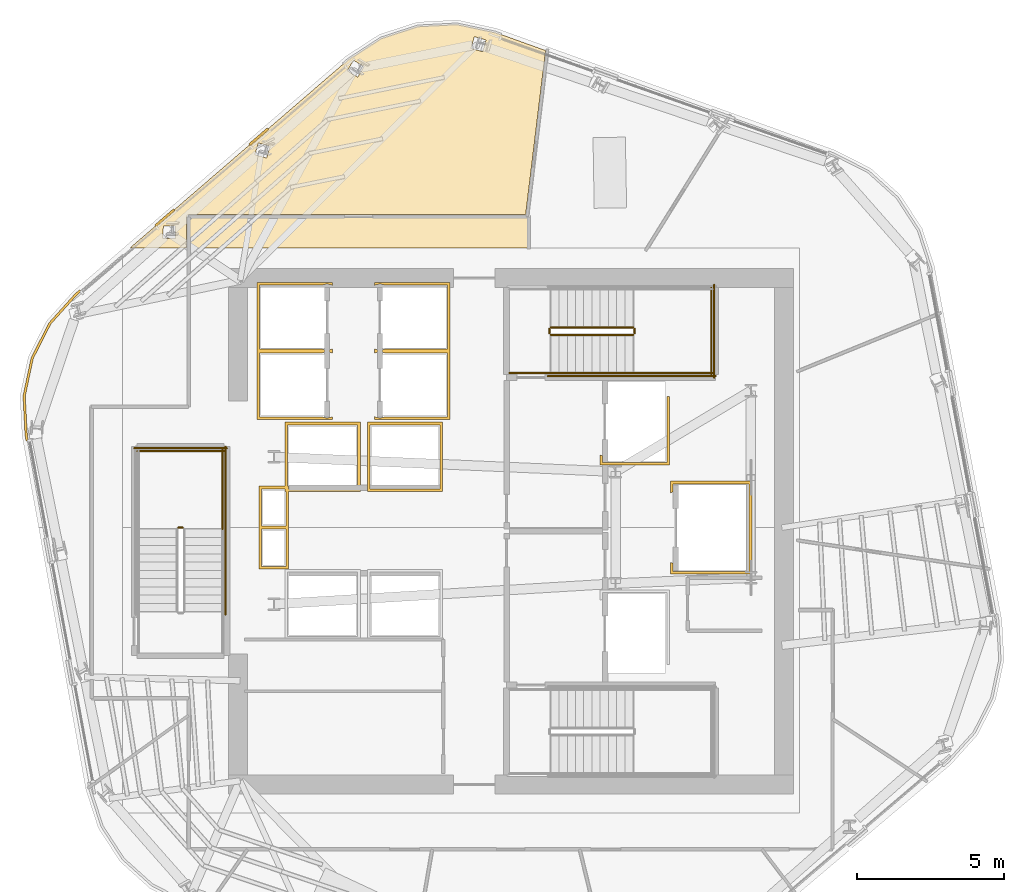
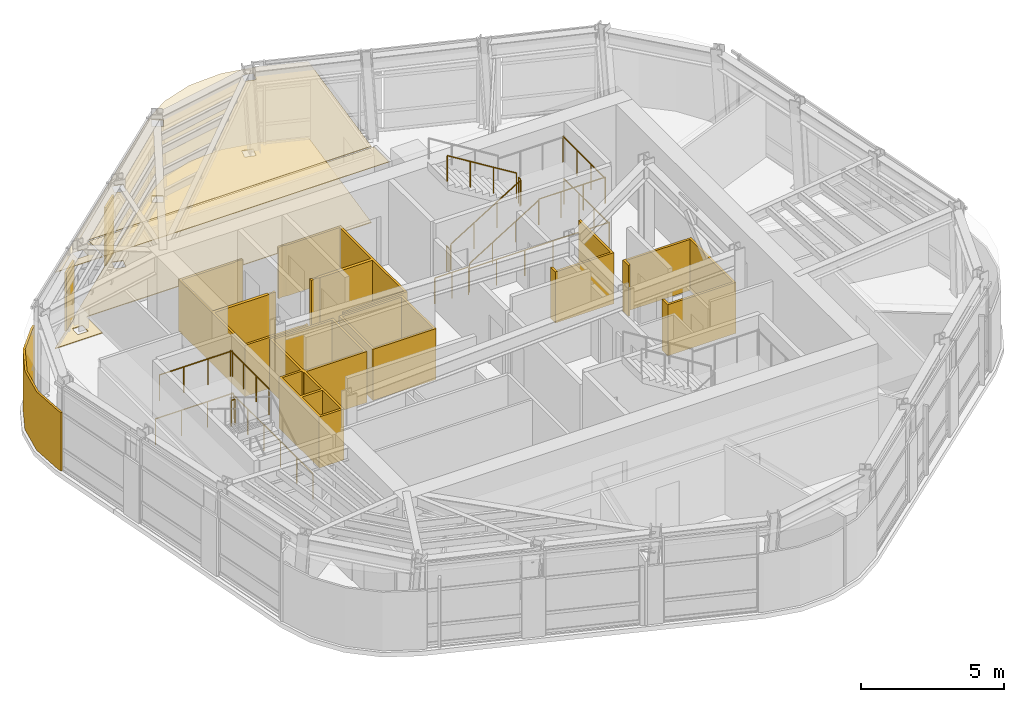
# One storey, part 12 of 14: 15 railings, 12 coverings.
"""IFC4 building model written with IfcOpenShell, lengths in metres."""

from ifc_helpers import new_model, si_unit, direction, frame, origin, origin_2d, place, context, subcontext, project, spatial, polyline, circle, outline, extrude, material, layer, layer_set, type_object, element, save


model = new_model("IFC4")

# Units and contexts
model_context = context("Model", 3, precision=1e-05, world=origin(), true_north=direction((0.0, 1.0)))
body_context = subcontext(model_context, "Body", "Model", "MODEL_VIEW")
ifc_project = project(units=[si_unit("LENGTHUNIT", "METRE"), si_unit("AREAUNIT", "SQUARE_METRE"), si_unit("VOLUMEUNIT", "CUBIC_METRE"), si_unit("PLANEANGLEUNIT", "RADIAN"), si_unit("MASSUNIT", "GRAM", prefix="KILO")], contexts=[model_context])

# Site, building, storey
site_placement = place(None, origin())
site = spatial("IfcSite", under=ifc_project, at=site_placement, CompositionType="ELEMENT")
building_placement = place(site_placement, origin())
building = spatial("IfcBuilding", under=site, at=building_placement, Name="Valkerne Bourse Tower", CompositionType="ELEMENT")
storey_placement = place(building_placement, frame((0.0, 0.0, 198.0)))
storey = spatial("IfcBuildingStorey", under=building, at=storey_placement, Name="L50", CompositionType="ELEMENT", Elevation=198.0)

# Coverings
ifc_material_1 = material(Name="Mineral Fiber Acoustic Ceiling Tile", Category="acoustic")
ifc_layer_1 = layer(ifc_material_1, 0.02490234375)
ifc_layer_set_1 = layer_set([ifc_layer_1], Name="Mineral Fiber Acoustic Ceiling Tile")
covering_type_1 = type_object("IfcCoveringType", Name="COV-CEIL-ACT", PredefinedType="CEILING", material=ifc_layer_set_1)
covering_1_placement = place(storey_placement, frame((0.0, 0.0, 3.25)))
element("IfcCovering", 1, at=covering_1_placement, inside=storey, type_object=covering_type_1, Name="L50 Suspended Ceiling 13", PredefinedType="CEILING", context=body_context, shape_type="SweptSolid", body=[
    extrude(outline(polyline([(41.274169921875, 42.89892578125), (42.388671875, 43.62255859375), (43.643798828125, 44.0302734375), (44.96142578125, 44.099365234375), (46.260986328125, 43.822998046875), (47.97314453125, 43.207275390625), (47.29638671875, 37.62890625), (35.849609375, 37.62890625), (35.81494140625, 37.61962890625), (35.791015625, 37.595947265625), (35.781005859375, 37.560546875), (35.781005859375, 36.5), (33.85693359375, 36.5), (41.274169921875, 42.89892578125)]), holes=[polyline([(35.39990234375, 37.238525390625), (34.988525390625, 37.24365234375), (34.987060546875, 37.241943359375), (34.982666015625, 36.828125), (35.394287109375, 36.822998046875), (35.395751953125, 36.82470703125), (35.39990234375, 37.238525390625)]), polyline([(38.49658203125, 39.555419921875), (38.61328125, 39.95263671875), (38.21875, 40.069580078125), (38.217041015625, 40.068359375), (38.10009765625, 39.671142578125), (38.494873046875, 39.55419921875), (38.49658203125, 39.555419921875)]), polyline([(41.5927734375, 42.306884765625), (41.806396484375, 42.661376953125), (41.454345703125, 42.87451171875), (41.451904296875, 42.873779296875), (41.238525390625, 42.519287109375), (41.590576171875, 42.30615234375), (41.5927734375, 42.306884765625)]), polyline([(45.952392578125, 43.563232421875), (45.5546875, 43.677490234375), (45.552490234375, 43.67724609375), (45.439453125, 43.28125), (45.8369140625, 43.167236328125), (45.83935546875, 43.16748046875), (45.952392578125, 43.563232421875)])]), origin(), (0.0, 0.0, 1.0), 0.02490234375),
])
ifc_material_2 = material(Name="Bronze Anodised Aluminium AA 6063-T6", Category="aluminium")
ifc_layer_2 = layer(ifc_material_2, 0.030029296875)
ifc_layer_set_2 = layer_set([ifc_layer_2], Name="Bronze Anodised Aluminium AA 6063-T6")
covering_type_2 = type_object("IfcCoveringType", Name="COV-CEIL-METAL", PredefinedType="CEILING", material=ifc_layer_set_2)
covering_2_placement = place(storey_placement, frame((0.0, 0.0, 3.25)))
element("IfcCovering", 2, at=covering_2_placement, inside=storey, type_object=covering_type_2, Name="L50 Suspended Ceiling 03", PredefinedType="CEILING", context=body_context, shape_type="SweptSolid", body=[
    extrude(outline(polyline([(35.85400390625, 37.555908203125), (47.39599609375, 37.555908203125), (47.39599609375, 36.5), (35.85400390625, 36.5), (35.85400390625, 37.555908203125)])), origin(), (0.0, 0.0, 1.0), 0.02490234375),
])
ifc_layer_3 = layer(ifc_material_2, 0.06005859375)
ifc_layer_set_3 = layer_set([ifc_layer_3], Name="Bronze Anodised Aluminium AA 6063-T6")
covering_type_3 = type_object("IfcCoveringType", Name="COV-CRN-ALUM", PredefinedType="CLADDING", material=ifc_layer_set_3)
covering_3_placement = place(storey_placement, origin())
element("IfcCovering", 3, at=covering_3_placement, inside=storey, type_object=covering_type_3, Name="L50 Wind-Shaped Corner Aluminium Cladding 10", PredefinedType="CLADDING", context=body_context, shape_type="SweptSolid", body=[
    extrude(outline(polyline([(30.29052734375, 30.134765625), (30.220703125, 31.470947265625), (30.497314453125, 32.773193359375), (31.1015625, 33.959228515625), (31.996826171875, 34.95361328125), (32.14306640625, 35.07958984375), (32.195068359375, 35.018798828125), (32.052978515625, 34.896240234375), (31.168212890625, 33.91357421875), (30.5732421875, 32.74609375), (30.301025390625, 31.464599609375), (30.3701171875, 30.14404296875), (30.4033203125, 29.959716796875), (30.32470703125, 29.945068359375), (30.29052734375, 30.134765625)])), origin(), (0.0, 0.0, 1.0), 2.5),
])
covering_4_placement = place(storey_placement, origin())
element("IfcCovering", 4, at=covering_4_placement, inside=storey, type_object=covering_type_3, Name="L50 Wind-Shaped Corner Aluminium Cladding 11", PredefinedType="CLADDING", context=body_context, shape_type="SweptSolid", body=[
    extrude(outline(polyline([(35.332275390625, 37.830810546875), (35.38427734375, 37.77001953125), (34.748291015625, 37.221435546875), (34.6962890625, 37.2822265625), (35.332275390625, 37.830810546875)])), origin(), (0.0, 0.0, 1.0), 2.5),
])
covering_5_placement = place(storey_placement, origin())
element("IfcCovering", 5, at=covering_5_placement, inside=storey, type_object=covering_type_3, Name="L50 Wind-Shaped Corner Aluminium Cladding 12", PredefinedType="CLADDING", context=body_context, shape_type="SweptSolid", body=[
    extrude(outline(polyline([(38.521484375, 40.582275390625), (38.573486328125, 40.521484375), (37.9375, 39.97265625), (37.885498046875, 40.03369140625), (38.521484375, 40.582275390625)])), origin(), (0.0, 0.0, 1.0), 2.5),
])
ifc_material_3 = material(Name="Polished Granite Stone", Category="masonry")
ifc_layer_4 = layer(ifc_material_3, 0.030029296875)
ifc_layer_set_4 = layer_set([ifc_layer_4], Name="Polished Granite Stone")
covering_type_4 = type_object("IfcCoveringType", Name="COV-FLR-TERRAZZO", PredefinedType="FLOORING", material=ifc_layer_set_4)
covering_6_placement = place(storey_placement, origin())
element("IfcCovering", 6, at=covering_6_placement, inside=storey, type_object=covering_type_4, Name="L50 Floor Finish 13", PredefinedType="FLOORING", context=body_context, shape_type="SweptSolid", body=[
    extrude(outline(polyline([(41.274169921875, 42.89892578125), (42.388671875, 43.62255859375), (43.643798828125, 44.0302734375), (44.96142578125, 44.099365234375), (46.260986328125, 43.822998046875), (47.97314453125, 43.207275390625), (47.29638671875, 37.62890625), (35.849609375, 37.62890625), (35.81494140625, 37.61962890625), (35.791015625, 37.595947265625), (35.781005859375, 37.560546875), (35.781005859375, 36.5), (33.85693359375, 36.5), (41.274169921875, 42.89892578125)]), holes=[polyline([(35.39990234375, 37.238525390625), (34.988525390625, 37.24365234375), (34.987060546875, 37.241943359375), (34.982666015625, 36.828125), (35.394287109375, 36.822998046875), (35.395751953125, 36.82470703125), (35.39990234375, 37.238525390625)]), polyline([(38.49658203125, 39.555419921875), (38.61328125, 39.95263671875), (38.21875, 40.069580078125), (38.217041015625, 40.068359375), (38.10009765625, 39.671142578125), (38.494873046875, 39.55419921875), (38.49658203125, 39.555419921875)]), polyline([(41.5927734375, 42.306884765625), (41.806396484375, 42.661376953125), (41.454345703125, 42.87451171875), (41.451904296875, 42.873779296875), (41.238525390625, 42.519287109375), (41.590576171875, 42.30615234375), (41.5927734375, 42.306884765625)]), polyline([(45.952392578125, 43.563232421875), (45.5546875, 43.677490234375), (45.552490234375, 43.67724609375), (45.439453125, 43.28125), (45.8369140625, 43.167236328125), (45.83935546875, 43.16748046875), (45.952392578125, 43.563232421875)])]), origin(), (0.0, 0.0, 1.0), 0.030029296875),
])
ifc_material_4 = material(Name="Gypsum Shaftwall Liner Board", Category="gypsum")
ifc_layer_5 = layer(ifc_material_4, 0.080078125)
ifc_layer_set_5 = layer_set([ifc_layer_5], Name="Gypsum Shaftwall Liner Board")
covering_type_5 = type_object("IfcCoveringType", Name="COV-SHF-CLAD", PredefinedType="CLADDING", material=ifc_layer_set_5)
covering_7_placement = place(storey_placement, origin())
element("IfcCovering", 7, at=covering_7_placement, inside=storey, type_object=covering_type_5, Name="L50 Hoistway & Riser Shaftwall Liner 03", PredefinedType="CLADDING", context=body_context, shape_type="SweptSolid", body=[
    extrude(outline(polyline([(38.239990234375, 28.409912109375), (39.1201171875, 28.409912109375), (39.1201171875, 30.580078125), (41.679931640625, 30.580078125), (41.679931640625, 28.219970703125), (39.239990234375, 28.219970703125), (39.239990234375, 27.0400390625), (39.239990234375, 26.9599609375), (39.239990234375, 25.590087890625), (38.239990234375, 25.590087890625), (38.239990234375, 26.9599609375), (38.239990234375, 27.0400390625), (38.239990234375, 28.409912109375)]), holes=[polyline([(38.330078125, 26.949951171875), (38.330078125, 25.679931640625), (39.14990234375, 25.679931640625), (39.14990234375, 26.949951171875), (38.330078125, 26.949951171875)]), polyline([(39.2099609375, 30.489990234375), (39.2099609375, 28.409912109375), (39.239990234375, 28.409912109375), (39.239990234375, 28.31005859375), (41.590087890625, 28.31005859375), (41.590087890625, 30.489990234375), (39.2099609375, 30.489990234375)]), polyline([(38.330078125, 27.050048828125), (39.14990234375, 27.050048828125), (39.14990234375, 28.219970703125), (39.1201171875, 28.219970703125), (39.1201171875, 28.320068359375), (38.330078125, 28.320068359375), (38.330078125, 27.050048828125)])]), origin(), (0.0, 0.0, 1.0), 2.179931640625),
])
covering_8_placement = place(storey_placement, origin())
element("IfcCovering", 8, at=covering_8_placement, inside=storey, type_object=covering_type_5, Name="L50 Hoistway & Riser Shaftwall Liner 04", PredefinedType="CLADDING", context=body_context, shape_type="SweptSolid", body=[
    extrude(outline(polyline([(38.169921875, 35.330078125), (40.72998046875, 35.330078125), (40.72998046875, 35.232177734375), (40.72216796875, 35.235595703125), (40.6806640625, 35.25048828125), (40.6376953125, 35.261474609375), (40.593994140625, 35.267822265625), (40.550048828125, 35.27001953125), (40.505859375, 35.267822265625), (40.462158203125, 35.261474609375), (40.41943359375, 35.25048828125), (40.3896484375, 35.239990234375), (38.260009765625, 35.239990234375), (38.260009765625, 33.06005859375), (40.3896484375, 33.06005859375), (40.41943359375, 33.04931640625), (40.462158203125, 33.03857421875), (40.505859375, 33.0322265625), (40.550048828125, 33.030029296875), (40.593994140625, 33.0322265625), (40.6376953125, 33.03857421875), (40.6806640625, 33.04931640625), (40.72216796875, 33.064208984375), (40.72998046875, 33.06787109375), (40.72998046875, 33.030029296875), (40.72998046875, 32.969970703125), (40.72998046875, 32.93212890625), (40.72216796875, 32.935791015625), (40.6806640625, 32.95068359375), (40.6376953125, 32.96142578125), (40.593994140625, 32.9677734375), (40.550048828125, 32.969970703125), (40.505859375, 32.9677734375), (40.462158203125, 32.96142578125), (40.41943359375, 32.95068359375), (40.3896484375, 32.93994140625), (38.260009765625, 32.93994140625), (38.260009765625, 30.760009765625), (40.3896484375, 30.760009765625), (40.41943359375, 30.74951171875), (40.462158203125, 30.738525390625), (40.505859375, 30.732177734375), (40.550048828125, 30.72998046875), (40.593994140625, 30.732177734375), (40.6376953125, 30.738525390625), (40.6806640625, 30.74951171875), (40.72216796875, 30.764404296875), (40.72998046875, 30.767822265625), (40.72998046875, 30.669921875), (38.169921875, 30.669921875), (38.169921875, 32.969970703125), (38.169921875, 33.030029296875), (38.169921875, 35.330078125)])), origin(), (0.0, 0.0, 1.0), 2.179931640625),
])
covering_9_placement = place(storey_placement, origin())
element("IfcCovering", 9, at=covering_9_placement, inside=storey, type_object=covering_type_5, Name="L50 Hoistway & Riser Shaftwall Liner 06", PredefinedType="CLADDING", context=body_context, shape_type="SweptSolid", body=[
    extrude(outline(polyline([(54.97998046875, 25.419921875), (52.219970703125, 25.419921875), (52.219970703125, 25.81787109375), (52.227783203125, 25.814208984375), (52.269287109375, 25.79931640625), (52.31005859375, 25.789306640625), (52.31005859375, 25.510009765625), (54.889892578125, 25.510009765625), (54.889892578125, 28.489990234375), (52.31005859375, 28.489990234375), (52.31005859375, 28.210693359375), (52.269287109375, 28.20068359375), (52.227783203125, 28.185791015625), (52.219970703125, 28.18212890625), (52.219970703125, 28.580078125), (54.97998046875, 28.580078125), (54.97998046875, 25.419921875)])), origin(), (0.0, 0.0, 1.0), 2.179931640625),
])
covering_10_placement = place(storey_placement, origin())
element("IfcCovering", 10, at=covering_10_placement, inside=storey, type_object=covering_type_5, Name="L50 Hoistway & Riser Shaftwall Liner 07", PredefinedType="CLADDING", context=body_context, shape_type="SweptSolid", body=[
    extrude(outline(polyline([(44.47998046875, 28.219970703125), (41.919921875, 28.219970703125), (41.919921875, 30.580078125), (44.47998046875, 30.580078125), (44.47998046875, 28.219970703125)]), holes=[polyline([(42.010009765625, 30.489990234375), (42.010009765625, 28.31005859375), (44.389892578125, 28.31005859375), (44.389892578125, 30.489990234375), (42.010009765625, 30.489990234375)])]), origin(), (0.0, 0.0, 1.0), 2.179931640625),
])
covering_11_placement = place(storey_placement, origin())
element("IfcCovering", 11, at=covering_11_placement, inside=storey, type_object=covering_type_5, Name="L50 Hoistway & Riser Shaftwall Liner 08", PredefinedType="CLADDING", context=body_context, shape_type="SweptSolid", body=[
    extrude(outline(polyline([(49.820068359375, 29.1201171875), (49.820068359375, 29.468017578125), (49.827880859375, 29.46435546875), (49.869384765625, 29.449462890625), (49.909912109375, 29.439208984375), (49.909912109375, 29.2099609375), (52.090087890625, 29.2099609375), (52.090087890625, 31.449951171875), (52.179931640625, 31.449951171875), (52.179931640625, 29.1201171875), (49.820068359375, 29.1201171875)])), origin(), (0.0, 0.0, 1.0), 2.179931640625),
])
covering_12_placement = place(storey_placement, origin())
element("IfcCovering", 12, at=covering_12_placement, inside=storey, type_object=covering_type_5, Name="L50 Hoistway & Riser Shaftwall Liner 09", PredefinedType="CLADDING", context=body_context, shape_type="SweptSolid", body=[
    extrude(outline(polyline([(42.169921875, 33.06787109375), (42.177734375, 33.064208984375), (42.219482421875, 33.04931640625), (42.26220703125, 33.03857421875), (42.305908203125, 33.0322265625), (42.35009765625, 33.030029296875), (42.39404296875, 33.0322265625), (42.437744140625, 33.03857421875), (42.480712890625, 33.04931640625), (42.51025390625, 33.06005859375), (44.639892578125, 33.06005859375), (44.639892578125, 35.239990234375), (42.51025390625, 35.239990234375), (42.480712890625, 35.25048828125), (42.437744140625, 35.261474609375), (42.39404296875, 35.267822265625), (42.35009765625, 35.27001953125), (42.305908203125, 35.267822265625), (42.26220703125, 35.261474609375), (42.219482421875, 35.25048828125), (42.177734375, 35.235595703125), (42.169921875, 35.232177734375), (42.169921875, 35.330078125), (44.72998046875, 35.330078125), (44.72998046875, 33.030029296875), (44.72998046875, 32.969970703125), (44.72998046875, 30.669921875), (42.169921875, 30.669921875), (42.169921875, 30.767822265625), (42.177734375, 30.764404296875), (42.219482421875, 30.74951171875), (42.26220703125, 30.738525390625), (42.305908203125, 30.732177734375), (42.35009765625, 30.72998046875), (42.39404296875, 30.732177734375), (42.437744140625, 30.738525390625), (42.480712890625, 30.74951171875), (42.51025390625, 30.760009765625), (44.639892578125, 30.760009765625), (44.639892578125, 32.93994140625), (42.51025390625, 32.93994140625), (42.480712890625, 32.95068359375), (42.437744140625, 32.96142578125), (42.39404296875, 32.9677734375), (42.35009765625, 32.969970703125), (42.305908203125, 32.9677734375), (42.26220703125, 32.96142578125), (42.219482421875, 32.95068359375), (42.177734375, 32.935791015625), (42.169921875, 32.93212890625), (42.169921875, 32.969970703125), (42.169921875, 33.030029296875), (42.169921875, 33.06787109375)])), origin(), (0.0, 0.0, 1.0), 2.179931640625),
])

# Railings
ifc_material_5 = material(Name="Galvanised Painted Steel", Category="steel")
railing_type_1 = type_object("IfcRailingType", Name="RLG-ST-GUARD-1120", PredefinedType="GUARDRAIL", material=ifc_material_5)
railing_1_placement = place(storey_placement, frame((48.14990234375, 33.550048828125, 0.172607421875)))
element("IfcRailing", 13, at=railing_1_placement, inside=storey, type_object=railing_type_1, Name="L50 ST-2 stair guard 1", PredefinedType="GUARDRAIL", context=body_context, shape_type="SweptSolid", body=[
    extrude(circle(Radius=0.02392578125, at=origin_2d()), frame((0.0, 0.0, 1.09619140625), z_axis=(0.851089632645, 0.0, 0.525020415988), x_axis=(0.0, 1.0, 0.0)), (0.0, 0.0, 1.0), 3.2900390625),
    extrude(circle(Radius=0.02099609375, at=origin_2d()), origin(), (0.0, 0.0, 1.0), 1.072021484375),
    extrude(circle(Radius=0.02099609375, at=origin_2d()), frame((0.933349609375, 0.0, 0.57568359375)), (0.0, 0.0, 1.0), 1.072021484375),
    extrude(circle(Radius=0.02099609375, at=origin_2d()), frame((1.86669921875, 0.0, 1.151611328125)), (0.0, 0.0, 1.0), 1.072021484375),
    extrude(circle(Radius=0.02099609375, at=origin_2d()), frame((2.800048828125, 0.0, 1.727294921875)), (0.0, 0.0, 1.0), 1.072021484375),
])
railing_2_placement = place(storey_placement, frame((51.0, 33.60009765625, 1.89990234375)))
element("IfcRailing", 14, at=railing_2_placement, inside=storey, type_object=railing_type_1, Name="L50 ST-2 stair guard 2", PredefinedType="GUARDRAIL", context=body_context, shape_type="SweptSolid", body=[
    extrude(circle(Radius=0.02392578125, at=origin_2d()), frame((0.0, 0.0, 1.09619140625), z_axis=(0.0, 1.0, 0.0), x_axis=(-1.0, 0.0, 0.0)), (0.0, 0.0, 1.0), 0.14990234375),
    extrude(circle(Radius=0.02099609375, at=origin_2d()), origin(), (0.0, 0.0, 1.0), 1.072021484375),
    extrude(circle(Radius=0.02099609375, at=origin_2d()), frame((0.0, 0.14990234375, 0.0)), (0.0, 0.0, 1.0), 1.072021484375),
])
railing_3_placement = place(storey_placement, frame((50.949951171875, 32.25, 1.89990234375)))
element("IfcRailing", 15, at=railing_3_placement, inside=storey, type_object=railing_type_1, Name="L50 ST-2 stair guard 3", PredefinedType="GUARDRAIL", context=body_context, shape_type="SweptSolid", body=[
    extrude(circle(Radius=0.02392578125, at=origin_2d()), frame((0.0, 0.0, 1.09619140625), z_axis=(1.0, 0.0, 0.0), x_axis=(0.0, 1.0, 0.0)), (0.0, 0.0, 1.0), 2.699951171875),
    extrude(circle(Radius=0.02099609375, at=origin_2d()), origin(), (0.0, 0.0, 1.0), 1.072021484375),
    extrude(circle(Radius=0.02099609375, at=origin_2d()), frame((0.89990234375, 0.0, 0.0)), (0.0, 0.0, 1.0), 1.072021484375),
    extrude(circle(Radius=0.02099609375, at=origin_2d()), frame((1.800048828125, 0.0, 0.0)), (0.0, 0.0, 1.0), 1.072021484375),
    extrude(circle(Radius=0.02099609375, at=origin_2d()), frame((2.699951171875, 0.0, 0.0)), (0.0, 0.0, 1.0), 1.072021484375),
])
railing_4_placement = place(storey_placement, frame((53.60009765625, 32.199951171875, 1.89990234375)))
element("IfcRailing", 16, at=railing_4_placement, inside=storey, type_object=railing_type_1, Name="L50 ST-2 stair guard 5", PredefinedType="GUARDRAIL", context=body_context, shape_type="SweptSolid", body=[
    extrude(circle(Radius=0.02392578125, at=origin_2d()), frame((0.0, 0.0, 1.09619140625), z_axis=(0.0, 1.0, 0.0), x_axis=(-1.0, 0.0, 0.0)), (0.0, 0.0, 1.0), 2.949951171875),
    extrude(circle(Radius=0.02099609375, at=origin_2d()), origin(), (0.0, 0.0, 1.0), 1.072021484375),
    extrude(circle(Radius=0.02099609375, at=origin_2d()), frame((0.0, 0.9833984375, 0.0)), (0.0, 0.0, 1.0), 1.072021484375),
    extrude(circle(Radius=0.02099609375, at=origin_2d()), frame((0.0, 1.966552734375, 0.0)), (0.0, 0.0, 1.0), 1.072021484375),
    extrude(circle(Radius=0.02099609375, at=origin_2d()), frame((0.0, 2.949951171875, 0.0)), (0.0, 0.0, 1.0), 1.072021484375),
])
railing_5_placement = place(storey_placement, frame((50.949951171875, 33.800048828125, 2.07275390625)))
element("IfcRailing", 17, at=railing_5_placement, inside=storey, type_object=railing_type_1, Name="L50 ST-2 stair guard 6", PredefinedType="GUARDRAIL", context=body_context, shape_type="SweptSolid", body=[
    extrude(circle(Radius=0.02392578125, at=origin_2d()), frame((0.0, 0.0, 1.09619140625), z_axis=(-0.851089632645, 0.0, 0.525020415988), x_axis=(0.0, -1.0, 0.0)), (0.0, 0.0, 1.0), 3.2900390625),
    extrude(circle(Radius=0.02099609375, at=origin_2d()), origin(), (0.0, 0.0, 1.0), 1.072021484375),
    extrude(circle(Radius=0.02099609375, at=origin_2d()), frame((-0.933349609375, 0.0, 0.57568359375)), (0.0, 0.0, 1.0), 1.072021484375),
    extrude(circle(Radius=0.02099609375, at=origin_2d()), frame((-1.86669921875, 0.0, 1.151611328125)), (0.0, 0.0, 1.0), 1.072021484375),
    extrude(circle(Radius=0.02099609375, at=origin_2d()), frame((-2.800048828125, 0.0, 1.727294921875)), (0.0, 0.0, 1.0), 1.072021484375),
])
railing_6_placement = place(storey_placement, frame((48.10009765625, 33.60009765625, 0.0)))
element("IfcRailing", 18, at=railing_6_placement, inside=storey, type_object=railing_type_1, Name="L50 ST-2 stair guard 7", PredefinedType="GUARDRAIL", context=body_context, shape_type="SweptSolid", body=[
    extrude(circle(Radius=0.02392578125, at=origin_2d()), frame((0.0, 0.0, 1.09619140625), z_axis=(0.0, 1.0, 0.0), x_axis=(-1.0, 0.0, 0.0)), (0.0, 0.0, 1.0), 0.14990234375),
    extrude(circle(Radius=0.02099609375, at=origin_2d()), origin(), (0.0, 0.0, 1.0), 1.072021484375),
    extrude(circle(Radius=0.02099609375, at=origin_2d()), frame((0.0, 0.14990234375, 0.0)), (0.0, 0.0, 1.0), 1.072021484375),
])
railing_7_placement = place(storey_placement, frame((46.75, 32.25, 0.0)))
element("IfcRailing", 19, at=railing_7_placement, inside=storey, type_object=railing_type_1, Name="L50 ST-2 stair guard 8", PredefinedType="GUARDRAIL", context=body_context, shape_type="SweptSolid", body=[
    extrude(circle(Radius=0.02392578125, at=origin_2d()), frame((0.0, 0.0, 1.09619140625), z_axis=(1.0, 0.0, 0.0), x_axis=(0.0, 1.0, 0.0)), (0.0, 0.0, 1.0), 1.39990234375),
    extrude(circle(Radius=0.02099609375, at=origin_2d()), origin(), (0.0, 0.0, 1.0), 1.072021484375),
    extrude(circle(Radius=0.02099609375, at=origin_2d()), frame((0.699951171875, 0.0, 0.0)), (0.0, 0.0, 1.0), 1.072021484375),
    extrude(circle(Radius=0.02099609375, at=origin_2d()), frame((1.39990234375, 0.0, 0.0)), (0.0, 0.0, 1.0), 1.072021484375),
])
railing_8_placement = place(storey_placement, frame((48.050048828125, 32.14990234375, 0.0)))
element("IfcRailing", 20, at=railing_8_placement, inside=storey, type_object=railing_type_1, Name="L50 ST-2 stair guard 10", PredefinedType="GUARDRAIL", context=body_context, shape_type="SweptSolid", body=[
    extrude(circle(Radius=0.02392578125, at=origin_2d()), frame((0.0, 0.0, 1.09619140625), z_axis=(1.0, 0.0, 0.0), x_axis=(0.0, 1.0, 0.0)), (0.0, 0.0, 1.0), 5.699951171875),
    extrude(circle(Radius=0.02099609375, at=origin_2d()), origin(), (0.0, 0.0, 1.0), 1.072021484375),
    extrude(circle(Radius=0.02099609375, at=origin_2d()), frame((1.139892578125, 0.0, 0.0)), (0.0, 0.0, 1.0), 1.072021484375),
    extrude(circle(Radius=0.02099609375, at=origin_2d()), frame((2.280029296875, 0.0, 0.0)), (0.0, 0.0, 1.0), 1.072021484375),
    extrude(circle(Radius=0.02099609375, at=origin_2d()), frame((3.419921875, 0.0, 0.0)), (0.0, 0.0, 1.0), 1.072021484375),
    extrude(circle(Radius=0.02099609375, at=origin_2d()), frame((4.56005859375, 0.0, 0.0)), (0.0, 0.0, 1.0), 1.072021484375),
    extrude(circle(Radius=0.02099609375, at=origin_2d()), frame((5.699951171875, 0.0, 0.0)), (0.0, 0.0, 1.0), 1.072021484375),
])
railing_9_placement = place(storey_placement, frame((53.699951171875, 32.10009765625, 0.0)))
element("IfcRailing", 21, at=railing_9_placement, inside=storey, type_object=railing_type_1, Name="L50 ST-2 stair guard 12", PredefinedType="GUARDRAIL", context=body_context, shape_type="SweptSolid", body=[
    extrude(circle(Radius=0.02392578125, at=origin_2d()), frame((0.0, 0.0, 1.09619140625), z_axis=(0.0, 1.0, 0.0), x_axis=(-1.0, 0.0, 0.0)), (0.0, 0.0, 1.0), 3.14990234375),
    extrude(circle(Radius=0.02099609375, at=origin_2d()), origin(), (0.0, 0.0, 1.0), 1.072021484375),
    extrude(circle(Radius=0.02099609375, at=origin_2d()), frame((0.0, 1.050048828125, 0.0)), (0.0, 0.0, 1.0), 1.072021484375),
    extrude(circle(Radius=0.02099609375, at=origin_2d()), frame((0.0, 2.099853515625, 0.0)), (0.0, 0.0, 1.0), 1.072021484375),
    extrude(circle(Radius=0.02099609375, at=origin_2d()), frame((0.0, 3.14990234375, 0.0)), (0.0, 0.0, 1.0), 1.072021484375),
])
railing_10_placement = place(storey_placement, frame((35.64990234375, 27.0, 1.89990234375)))
element("IfcRailing", 22, at=railing_10_placement, inside=storey, type_object=railing_type_1, Name="L50 ST-3 stair guard 2", PredefinedType="GUARDRAIL", context=body_context, shape_type="SweptSolid", body=[
    extrude(circle(Radius=0.02392578125, at=origin_2d()), frame((0.0, 0.0, 1.09619140625), z_axis=(-1.0, 0.0, 0.0), x_axis=(0.0, -1.0, 0.0)), (0.0, 0.0, 1.0), 0.14990234375),
    extrude(circle(Radius=0.02099609375, at=origin_2d()), origin(), (0.0, 0.0, 1.0), 1.072021484375),
    extrude(circle(Radius=0.02099609375, at=origin_2d()), frame((-0.14990234375, 0.0, 0.0)), (0.0, 0.0, 1.0), 1.072021484375),
])
railing_11_placement = place(storey_placement, frame((37.0, 26.949951171875, 1.89990234375)))
element("IfcRailing", 23, at=railing_11_placement, inside=storey, type_object=railing_type_1, Name="L50 ST-3 stair guard 3", PredefinedType="GUARDRAIL", context=body_context, shape_type="SweptSolid", body=[
    extrude(circle(Radius=0.02392578125, at=origin_2d()), frame((0.0, 0.0, 1.09619140625), z_axis=(0.0, 1.0, 0.0), x_axis=(-1.0, 0.0, 0.0)), (0.0, 0.0, 1.0), 2.699951171875),
    extrude(circle(Radius=0.02099609375, at=origin_2d()), origin(), (0.0, 0.0, 1.0), 1.072021484375),
    extrude(circle(Radius=0.02099609375, at=origin_2d()), frame((0.0, 0.89990234375, 0.0)), (0.0, 0.0, 1.0), 1.072021484375),
    extrude(circle(Radius=0.02099609375, at=origin_2d()), frame((0.0, 1.800048828125, 0.0)), (0.0, 0.0, 1.0), 1.072021484375),
    extrude(circle(Radius=0.02099609375, at=origin_2d()), frame((0.0, 2.699951171875, 0.0)), (0.0, 0.0, 1.0), 1.072021484375),
])
railing_12_placement = place(storey_placement, frame((37.050048828125, 29.60009765625, 1.89990234375)))
element("IfcRailing", 24, at=railing_12_placement, inside=storey, type_object=railing_type_1, Name="L50 ST-3 stair guard 5", PredefinedType="GUARDRAIL", context=body_context, shape_type="SweptSolid", body=[
    extrude(circle(Radius=0.02392578125, at=origin_2d()), frame((0.0, 0.0, 1.09619140625), z_axis=(-1.0, 0.0, 0.0), x_axis=(0.0, -1.0, 0.0)), (0.0, 0.0, 1.0), 2.949951171875),
    extrude(circle(Radius=0.02099609375, at=origin_2d()), origin(), (0.0, 0.0, 1.0), 1.072021484375),
    extrude(circle(Radius=0.02099609375, at=origin_2d()), frame((-0.9833984375, 0.0, 0.0)), (0.0, 0.0, 1.0), 1.072021484375),
    extrude(circle(Radius=0.02099609375, at=origin_2d()), frame((-1.966552734375, 0.0, 0.0)), (0.0, 0.0, 1.0), 1.072021484375),
    extrude(circle(Radius=0.02099609375, at=origin_2d()), frame((-2.949951171875, 0.0, 0.0)), (0.0, 0.0, 1.0), 1.072021484375),
])
railing_13_placement = place(storey_placement, frame((37.10009765625, 24.050048828125, 0.0)))
element("IfcRailing", 25, at=railing_13_placement, inside=storey, type_object=railing_type_1, Name="L50 ST-3 stair guard 10", PredefinedType="GUARDRAIL", context=body_context, shape_type="SweptSolid", body=[
    extrude(circle(Radius=0.02392578125, at=origin_2d()), frame((0.0, 0.0, 1.09619140625), z_axis=(0.0, 1.0, 0.0), x_axis=(-1.0, 0.0, 0.0)), (0.0, 0.0, 1.0), 5.699951171875),
    extrude(circle(Radius=0.02099609375, at=origin_2d()), origin(), (0.0, 0.0, 1.0), 1.072021484375),
    extrude(circle(Radius=0.02099609375, at=origin_2d()), frame((0.0, 1.139892578125, 0.0)), (0.0, 0.0, 1.0), 1.072021484375),
    extrude(circle(Radius=0.02099609375, at=origin_2d()), frame((0.0, 2.280029296875, 0.0)), (0.0, 0.0, 1.0), 1.072021484375),
    extrude(circle(Radius=0.02099609375, at=origin_2d()), frame((0.0, 3.419921875, 0.0)), (0.0, 0.0, 1.0), 1.072021484375),
    extrude(circle(Radius=0.02099609375, at=origin_2d()), frame((0.0, 4.56005859375, 0.0)), (0.0, 0.0, 1.0), 1.072021484375),
    extrude(circle(Radius=0.02099609375, at=origin_2d()), frame((0.0, 5.699951171875, 0.0)), (0.0, 0.0, 1.0), 1.072021484375),
])
railing_14_placement = place(storey_placement, frame((37.14990234375, 29.699951171875, 0.0)))
element("IfcRailing", 26, at=railing_14_placement, inside=storey, type_object=railing_type_1, Name="L50 ST-3 stair guard 12", PredefinedType="GUARDRAIL", context=body_context, shape_type="SweptSolid", body=[
    extrude(circle(Radius=0.02392578125, at=origin_2d()), frame((0.0, 0.0, 1.09619140625), z_axis=(-1.0, 0.0, 0.0), x_axis=(0.0, -1.0, 0.0)), (0.0, 0.0, 1.0), 3.14990234375),
    extrude(circle(Radius=0.02099609375, at=origin_2d()), origin(), (0.0, 0.0, 1.0), 1.072021484375),
    extrude(circle(Radius=0.02099609375, at=origin_2d()), frame((-1.050048828125, 0.0, 0.0)), (0.0, 0.0, 1.0), 1.072021484375),
    extrude(circle(Radius=0.02099609375, at=origin_2d()), frame((-2.099853515625, 0.0, 0.0)), (0.0, 0.0, 1.0), 1.072021484375),
    extrude(circle(Radius=0.02099609375, at=origin_2d()), frame((-3.14990234375, 0.0, 0.0)), (0.0, 0.0, 1.0), 1.072021484375),
])
ifc_material_6 = material(Name="Stainless Steel AISI 316", Category="steel")
railing_type_2 = type_object("IfcRailingType", Name="RLG-ST-HANDRAIL-900", PredefinedType="HANDRAIL", material=ifc_material_6)
railing_15_placement = place(storey_placement, frame((48.14990234375, 32.25, 0.345458984375)))
element("IfcRailing", 27, at=railing_15_placement, inside=storey, type_object=railing_type_2, Name="L50 ST-2 stair handrail 1", PredefinedType="HANDRAIL", context=body_context, shape_type="SweptSolid", body=[
    extrude(circle(Radius=0.02392578125, at=origin_2d()), frame((0.0, 0.0, 0.8759765625), z_axis=(0.851089632645, 0.0, 0.525020415988), x_axis=(0.0, 1.0, 0.0)), (0.0, 0.0, 1.0), 3.2900390625),
    extrude(circle(Radius=0.02099609375, at=origin_2d()), origin(), (0.0, 0.0, 1.0), 0.851806640625),
    extrude(circle(Radius=0.02099609375, at=origin_2d()), frame((0.933349609375, 0.0, 0.57568359375)), (0.0, 0.0, 1.0), 0.851806640625),
    extrude(circle(Radius=0.02099609375, at=origin_2d()), frame((1.86669921875, 0.0, 1.151611328125)), (0.0, 0.0, 1.0), 0.851806640625),
    extrude(circle(Radius=0.02099609375, at=origin_2d()), frame((2.800048828125, 0.0, 1.727294921875)), (0.0, 0.0, 1.0), 0.851806640625),
])

save(model, "model.ifc")
